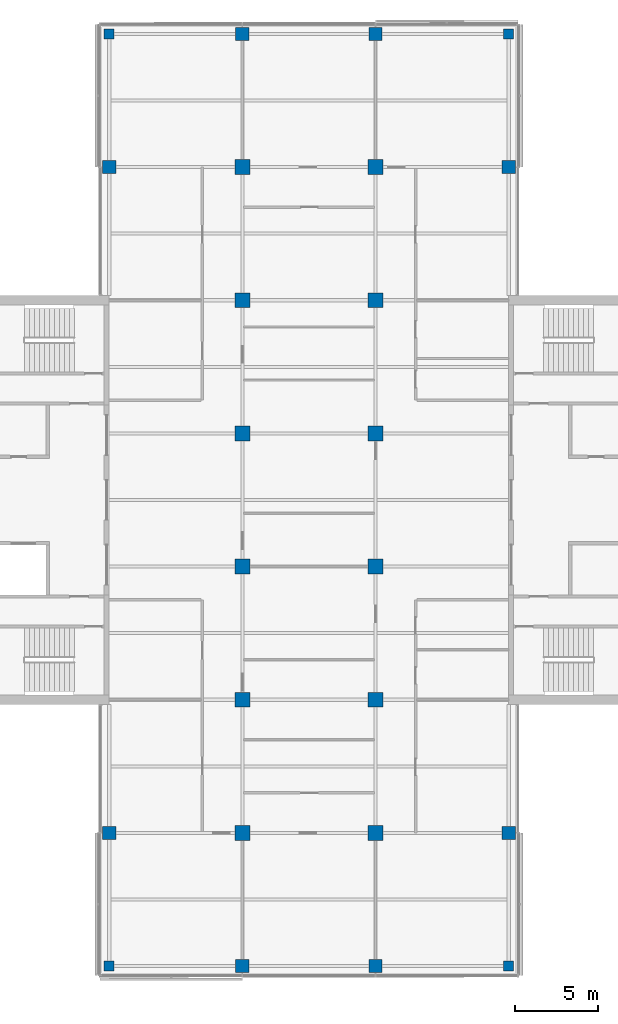
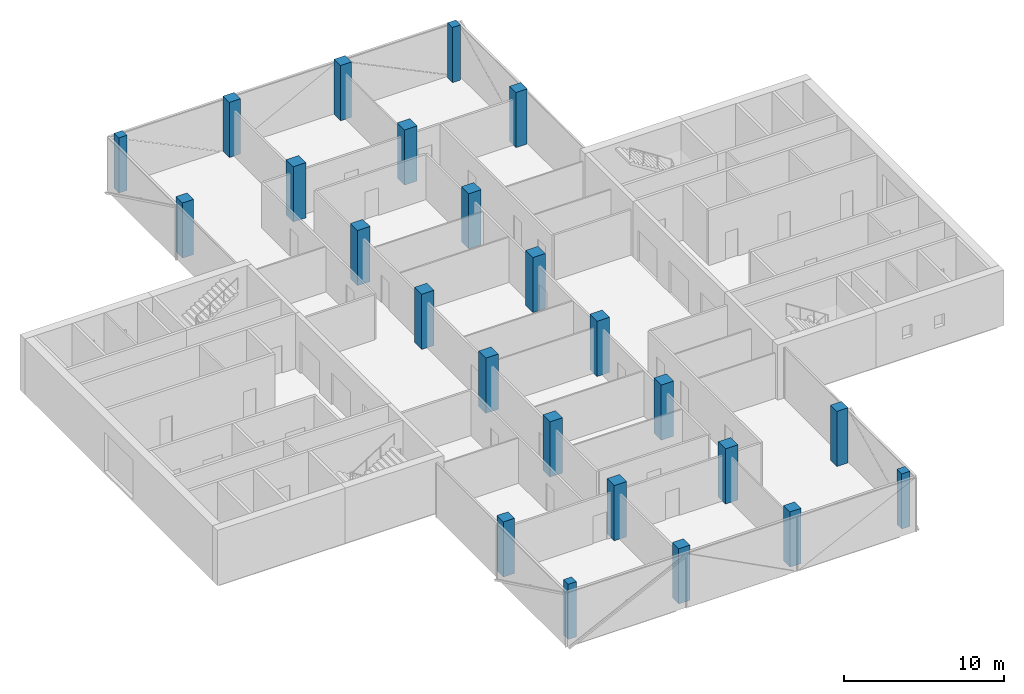
# One storey, part 1 of 15: 24 columns.
"""IFC4 building model written with IfcOpenShell, lengths in metres."""

from ifc_helpers import new_model, si_unit, direction, frame, origin, origin_2d, place, context, subcontext, project, spatial, rectangle, extrude, material, material_profile, profile_set, type_object, element, save


model = new_model("IFC4")

# Units and contexts
model_context = context("Model", 3, precision=1e-05, world=origin(), true_north=direction((0.0, 1.0)))
body_context = subcontext(model_context, "Body", "Model", "MODEL_VIEW")
ifc_project = project(units=[si_unit("LENGTHUNIT", "METRE"), si_unit("AREAUNIT", "SQUARE_METRE"), si_unit("VOLUMEUNIT", "CUBIC_METRE"), si_unit("PLANEANGLEUNIT", "RADIAN"), si_unit("MASSUNIT", "GRAM", prefix="KILO")], contexts=[model_context])

# Site, building, storey
site_placement = place(None, origin())
site = spatial("IfcSite", under=ifc_project, at=site_placement, CompositionType="ELEMENT")
building_placement = place(site_placement, origin())
building = spatial("IfcBuilding", under=site, at=building_placement, Name="Crosswind Convention Tower", CompositionType="ELEMENT")
storey_placement = place(building_placement, frame((0.0, 0.0, 204.10009765625)))
storey = spatial("IfcBuildingStorey", under=building, at=storey_placement, Name="L43", CompositionType="ELEMENT", Elevation=204.10009765625)

# Columns
ifc_material = material(Name="Concrete C60/75", Category="concrete")
ifc_material_profile_1 = material_profile(ifc_material, rectangle(XDim=0.60009765625, YDim=0.60009765625, at=origin_2d()), Name="RC 600X600")
ifc_profile_set_1 = profile_set([ifc_material_profile_1], Name="Concrete C60/75")
column_type_1 = type_object("IfcColumnType", Name="Column RC 600X600", PredefinedType="COLUMN", material=ifc_profile_set_1)
for number, where, z_axis, x_axis, name in (
    (1, (113.0, 72.0, 0.0), (0.0, 0.0, 1.0), (1.0, 0.0, 0.0), "C16 L43 5/C"),
    (2, (113.0, 128.0, 0.0), (0.0, 0.0, 1.0), (1.0, 0.0, 0.0), "C16 L43 5/J"),
    (3, (137.0, 72.0, 0.0), (0.0, 0.0, 1.0), (1.0, 0.0, 0.0), "C16 L43 8/C"),
    (4, (137.0, 128.0, 0.0), (0.0, 0.0, 1.0), (1.0, 0.0, 0.0), "C16 L43 8/J"),
):
    element("IfcColumn", number, at=place(storey_placement, frame(where, z_axis=z_axis, x_axis=x_axis)), inside=storey, type_object=column_type_1, Name=name, PredefinedType="COLUMN", context=body_context, shape_type="SweptSolid", body=[
        extrude(rectangle(XDim=0.60009765625, YDim=0.60009765625, at=origin_2d()), origin(), (0.0, 0.0, 1.0), 4.199951171875),
    ])
ifc_material_profile_2 = material_profile(ifc_material, rectangle(XDim=0.800048828125, YDim=0.800048828125, at=origin_2d()), Name="RC 800X800")
ifc_profile_set_2 = profile_set([ifc_material_profile_2], Name="Concrete C60/75")
column_type_2 = type_object("IfcColumnType", Name="Column RC 800X800", PredefinedType="COLUMN", material=ifc_profile_set_2)
for number, where, z_axis, x_axis, name in (
    (5, (113.0, 80.0, 0.0), (0.0, 0.0, 1.0), (1.0, 0.0, 0.0), "C14 L43 5/D"),
    (6, (113.0, 120.0, 0.0), (0.0, 0.0, 1.0), (1.0, 0.0, 0.0), "C14 L43 5/I"),
    (7, (121.0, 72.0, 0.0), (0.0, 0.0, 1.0), (1.0, 0.0, 0.0), "C14 L43 6/C"),
    (8, (121.0, 128.0, 0.0), (0.0, 0.0, 1.0), (1.0, 0.0, 0.0), "C14 L43 6/J"),
    (9, (129.0, 72.0, 0.0), (0.0, 0.0, 1.0), (1.0, 0.0, 0.0), "C14 L43 7/C"),
    (10, (129.0, 128.0, 0.0), (0.0, 0.0, 1.0), (1.0, 0.0, 0.0), "C14 L43 7/J"),
    (11, (137.0, 80.0, 0.0), (0.0, 0.0, 1.0), (1.0, 0.0, 0.0), "C14 L43 8/D"),
    (12, (137.0, 120.0, 0.0), (0.0, 0.0, 1.0), (1.0, 0.0, 0.0), "C14 L43 8/I"),
):
    element("IfcColumn", number, at=place(storey_placement, frame(where, z_axis=z_axis, x_axis=x_axis)), inside=storey, type_object=column_type_2, Name=name, PredefinedType="COLUMN", context=body_context, shape_type="SweptSolid", body=[
        extrude(rectangle(XDim=0.800048828125, YDim=0.800048828125, at=origin_2d()), origin(), (0.0, 0.0, 1.0), 4.199951171875),
    ])
ifc_material_profile_3 = material_profile(ifc_material, rectangle(XDim=0.89990234375, YDim=0.89990234375, at=origin_2d()), Name="RC 900X900")
ifc_profile_set_3 = profile_set([ifc_material_profile_3], Name="Concrete C60/75")
column_type_3 = type_object("IfcColumnType", Name="Column RC 900X900", PredefinedType="COLUMN", material=ifc_profile_set_3)
for number, where, z_axis, x_axis, name in (
    (13, (121.0, 80.0, 0.0), (0.0, 0.0, 1.0), (1.0, 0.0, 0.0), "C13 L43 6/D"),
    (14, (121.0, 88.0, 0.0), (0.0, 0.0, 1.0), (1.0, 0.0, 0.0), "C13 L43 6/E"),
    (15, (121.0, 96.0, 0.0), (0.0, 0.0, 1.0), (1.0, 0.0, 0.0), "C13 L43 6/F"),
    (16, (121.0, 104.0, 0.0), (0.0, 0.0, 1.0), (1.0, 0.0, 0.0), "C13 L43 6/G"),
    (17, (121.0, 112.0, 0.0), (0.0, 0.0, 1.0), (1.0, 0.0, 0.0), "C13 L43 6/H"),
    (18, (121.0, 120.0, 0.0), (0.0, 0.0, 1.0), (1.0, 0.0, 0.0), "C13 L43 6/I"),
    (19, (129.0, 80.0, 0.0), (0.0, 0.0, 1.0), (1.0, 0.0, 0.0), "C13 L43 7/D"),
    (20, (129.0, 88.0, 0.0), (0.0, 0.0, 1.0), (1.0, 0.0, 0.0), "C13 L43 7/E"),
    (21, (129.0, 96.0, 0.0), (0.0, 0.0, 1.0), (1.0, 0.0, 0.0), "C13 L43 7/F"),
    (22, (129.0, 104.0, 0.0), (0.0, 0.0, 1.0), (1.0, 0.0, 0.0), "C13 L43 7/G"),
    (23, (129.0, 112.0, 0.0), (0.0, 0.0, 1.0), (1.0, 0.0, 0.0), "C13 L43 7/H"),
    (24, (129.0, 120.0, 0.0), (0.0, 0.0, 1.0), (1.0, 0.0, 0.0), "C13 L43 7/I"),
):
    element("IfcColumn", number, at=place(storey_placement, frame(where, z_axis=z_axis, x_axis=x_axis)), inside=storey, type_object=column_type_3, Name=name, PredefinedType="COLUMN", context=body_context, shape_type="SweptSolid", body=[
        extrude(rectangle(XDim=0.89990234375, YDim=0.89990234375, at=origin_2d()), origin(), (0.0, 0.0, 1.0), 4.199951171875),
    ])

save(model, "model.ifc")
